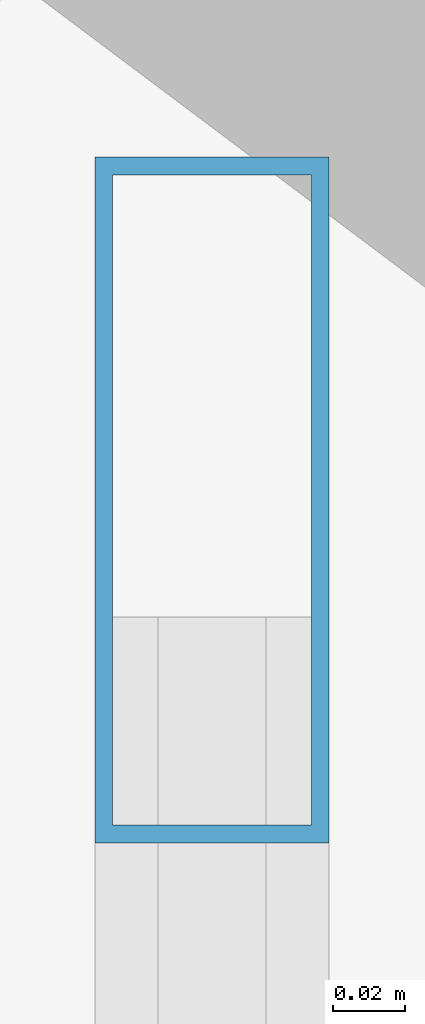
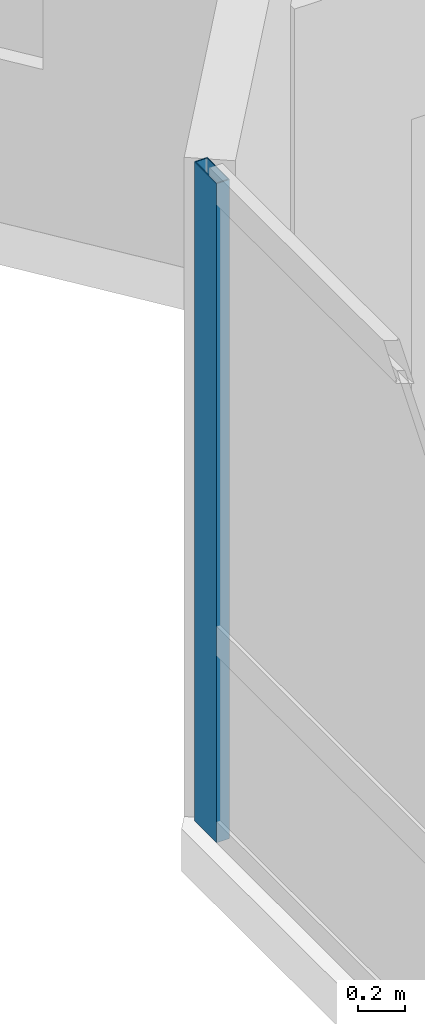
# One storey, part 6 of 21: 1 member, 1 element without a shape of its own.
"""IFC4 building model written with IfcOpenShell, lengths in metres."""

from ifc_helpers import new_model, si_unit, direction, frame, origin, origin_2d, place, context, subcontext, project, spatial, hollow_rectangle, extrude, material, material_profile, profile_set, type_object, element, aggregate, save


model = new_model("IFC4")

# Units and contexts
model_context = context("Model", 3, precision=1e-05, world=origin(), true_north=direction((0.0, 1.0)))
body_context = subcontext(model_context, "Body", "Model", "MODEL_VIEW")
ifc_project = project(units=[si_unit("LENGTHUNIT", "METRE"), si_unit("AREAUNIT", "SQUARE_METRE"), si_unit("VOLUMEUNIT", "CUBIC_METRE"), si_unit("PLANEANGLEUNIT", "RADIAN"), si_unit("MASSUNIT", "GRAM", prefix="KILO")], contexts=[model_context])

# Site, building, storey
site_placement = place(None, origin())
site = spatial("IfcSite", under=ifc_project, at=site_placement, CompositionType="ELEMENT")
building_placement = place(site_placement, origin())
building = spatial("IfcBuilding", under=site, at=building_placement, Name="Khamvora Tower", CompositionType="ELEMENT")
storey_placement = place(building_placement, frame((0.0, 0.0, 98.25)))
storey = spatial("IfcBuildingStorey", under=building, at=storey_placement, Name="L24", CompositionType="ELEMENT", Elevation=98.25)

# Curtain wall, member
ifc_material = material(Name="Anodised Aluminium 6063-T6", Category="aluminium")
curtain_wall_type = type_object("IfcCurtainWallType", Name="CW-SYS-03", PredefinedType="NOTDEFINED", material=ifc_material)
curtain_wall_placement = place(storey_placement, origin())
curtain_wall = element("IfcCurtainWall", 1, at=curtain_wall_placement, inside=storey, type_object=curtain_wall_type, Name="L24 stick curtain wall 02.1", PredefinedType="NOTDEFINED")
ifc_material_profile = material_profile(ifc_material, hollow_rectangle(XDim=0.06494140625, YDim=0.18994140625, WallThickness=0.0048828125, at=origin_2d()), Name="MUL65x190x5")
ifc_profile_set = profile_set([ifc_material_profile], Name="Anodised Aluminium 6063-T6")
member_type = type_object("IfcMemberType", Name="CW-SYS-03-MUL", PredefinedType="MULLION", material=ifc_profile_set)
member_placement = place(storey_placement, frame((9.510009765625, 24.73046875, 0.0), z_axis=(0.0, 0.0, 1.0), x_axis=(-1.0, 0.0, 0.0)))
member = element("IfcMember", 2, at=member_placement, type_object=member_type, Name="CW-03 mullion 5", PredefinedType="MULLION", context=body_context, shape_type="SweptSolid", body=[
    extrude(hollow_rectangle(XDim=0.06494140625, YDim=0.18994140625, WallThickness=0.0048828125, at=origin_2d()), origin(), (0.0, 0.0, 1.0), 3.429931640625),
])
aggregate(curtain_wall, [member])

save(model, "model.ifc")
